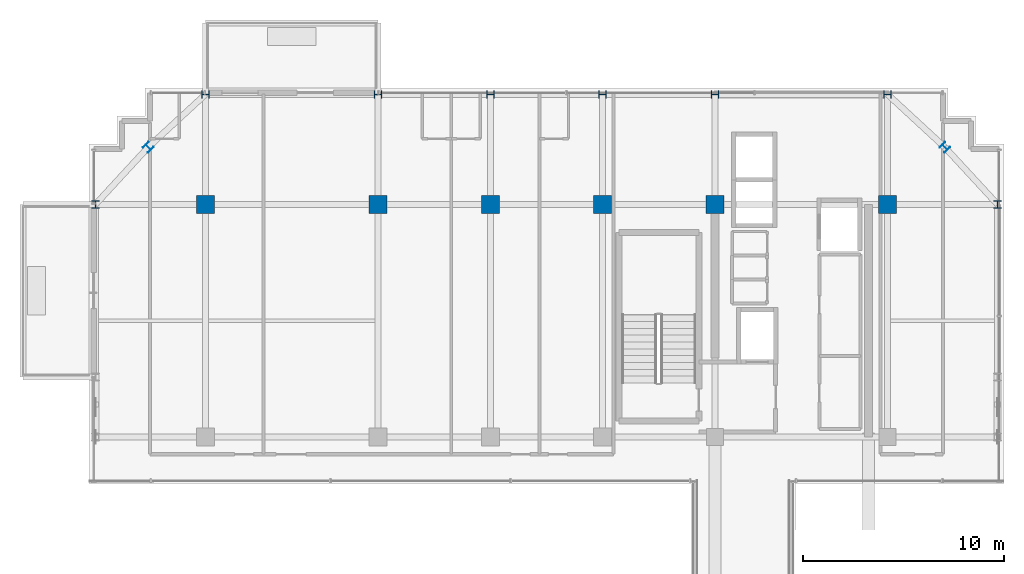
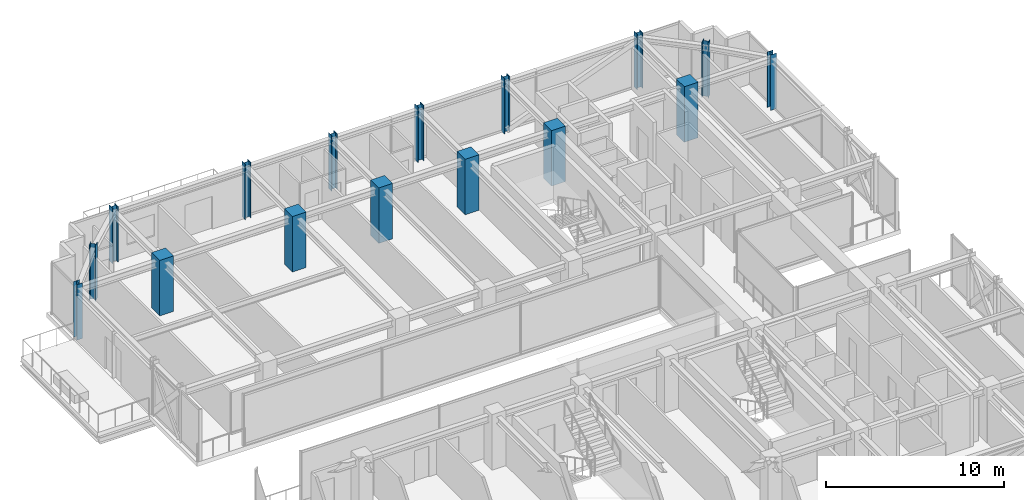
# One storey, part 3 of 41: 16 columns.
"""IFC4 building model written with IfcOpenShell, lengths in metres."""

from ifc_helpers import new_model, si_unit, direction, frame, origin, origin_2d, place, context, subcontext, project, spatial, rectangle, i_section, extrude, source, transform, mapped, material, material_profile, profile_set, type_object, element, save


model = new_model("IFC4")

# Units and contexts
model_context = context("Model", 3, precision=1e-05, world=origin(), true_north=direction((0.0, 1.0)))
body_context = subcontext(model_context, "Body", "Model", "MODEL_VIEW")
ifc_project = project(units=[si_unit("LENGTHUNIT", "METRE"), si_unit("AREAUNIT", "SQUARE_METRE"), si_unit("VOLUMEUNIT", "CUBIC_METRE"), si_unit("PLANEANGLEUNIT", "RADIAN"), si_unit("MASSUNIT", "GRAM", prefix="KILO")], contexts=[model_context])

# Site, building, storey
site_placement = place(None, origin())
site = spatial("IfcSite", under=ifc_project, at=site_placement, CompositionType="ELEMENT")
building_placement = place(site_placement, origin())
building = spatial("IfcBuilding", under=site, at=building_placement, Name="Nahalor Promenade Grand Hotel", CompositionType="ELEMENT")
storey_placement = place(building_placement, frame((0.0, 0.0, 304.199951171875)))
storey = spatial("IfcBuildingStorey", under=building, at=storey_placement, Name="L78", CompositionType="ELEMENT", Elevation=304.199951171875)

# Columns
ifc_material_1 = material(Name="Concrete B-50 (C40/50)", Category="concrete")
ifc_material_profile_1 = material_profile(ifc_material_1, rectangle(XDim=0.9, YDim=0.9, at=origin_2d()), Name="RC 900x900")
ifc_profile_set_1 = profile_set([ifc_material_profile_1], Name="Concrete B-50 (C40/50)")
column_type_1 = type_object("IfcColumnType", Name="Col-RC-900", PredefinedType="COLUMN", material=ifc_profile_set_1)
shared_shape_1 = source(origin(), body_context, "Body", "SweptSolid", [
    extrude(rectangle(XDim=0.9, YDim=0.9, at=origin_2d()), origin(), (0.0, 0.0, 1.0), 3.804931640625),
])
for number, where, z_axis, x_axis, name in (
    (1, (-17.0, 17.0, 0.0), (0.0, 0.0, 1.0), (1.0, 0.0, 0.0), "COL-L78-I03"),
    (2, (-8.39990234375, 17.0, 0.0), (0.0, 0.0, 1.0), (1.0, 0.0, 0.0), "COL-L78-I13"),
    (3, (-2.800048828125, 17.0, 0.0), (0.0, 0.0, 1.0), (1.0, 0.0, 0.0), "COL-L78-I23"),
    (4, (2.800048828125, 17.0, 0.0), (0.0, 0.0, 1.0), (1.0, 0.0, 0.0), "COL-L78-I33"),
    (5, (8.39990234375, 17.0, 0.0), (0.0, 0.0, 1.0), (1.0, 0.0, 0.0), "COL-L78-I43"),
    (6, (17.0, 17.0, 0.0), (0.0, 0.0, 1.0), (1.0, 0.0, 0.0), "COL-L78-I53"),
):
    element("IfcColumn", number, at=place(storey_placement, frame(where, z_axis=z_axis, x_axis=x_axis)), inside=storey, type_object=column_type_1, Name=name, PredefinedType="COLUMN", context=body_context, shape_type="MappedRepresentation", body=[
        mapped(shared_shape_1, transform((0.0, 0.0, 0.0), scale=1.0)),
    ])
ifc_material_2 = material(Name="Steel S355JR", Category="steel")
ifc_material_profile_2 = material_profile(ifc_material_2, i_section(OverallWidth=0.374, OverallDepth=0.374, WebThickness=0.0144, FlangeThickness=0.0229, at=origin_2d()), Name="HD 360x262")
ifc_profile_set_2 = profile_set([ifc_material_profile_2], Name="Steel S355JR")
column_type_2 = type_object("IfcColumnType", Name="Col-Steel-HD262", PredefinedType="COLUMN", material=ifc_profile_set_2)
shared_shape_2 = source(origin(), body_context, "Body", "SweptSolid", [
    extrude(i_section(OverallWidth=0.374, OverallDepth=0.374, WebThickness=0.0144, FlangeThickness=0.0229, at=origin_2d()), origin(), (0.0, 0.0, 1.0), 3.804931640625),
])
for number, where, z_axis, x_axis, name in (
    (7, (-22.47998046875, 17.0, 0.0), (0.0, 0.0, 1.0), (1.0, 0.0, 0.0), "COL-L78-PW-W5"),
    (8, (22.47998046875, 17.0, 0.0), (0.0, 0.0, 1.0), (1.0, 0.0, 0.0), "COL-L78-PW-E5"),
    (9, (-17.0, 22.47998046875, 0.0), (0.0, 0.0, 1.0), (0.0, 1.0, 0.0), "COL-L78-PN-N0"),
    (10, (-8.39990234375, 22.47998046875, 0.0), (0.0, 0.0, 1.0), (0.0, 1.0, 0.0), "COL-L78-PN-N1"),
    (11, (-2.800048828125, 22.47998046875, 0.0), (0.0, 0.0, 1.0), (0.0, 1.0, 0.0), "COL-L78-PN-N2"),
    (12, (2.800048828125, 22.47998046875, 0.0), (0.0, 0.0, 1.0), (0.0, 1.0, 0.0), "COL-L78-PN-N3"),
    (13, (8.39990234375, 22.47998046875, 0.0), (0.0, 0.0, 1.0), (0.0, 1.0, 0.0), "COL-L78-PN-N4"),
    (14, (17.0, 22.47998046875, 0.0), (0.0, 0.0, 1.0), (0.0, 1.0, 0.0), "COL-L78-PN-N5"),
    (15, (-19.85009765625, 19.85009765625, 0.0), (0.0, 0.0, 1.0), (0.707106781187, 0.707106781187, 0.0), "COL-L78-CRN-NW"),
    (16, (19.85009765625, 19.85009765625, 0.0), (0.0, 0.0, 1.0), (0.707106781187, 0.707106781187, 0.0), "COL-L78-CRN-NE"),
):
    element("IfcColumn", number, at=place(storey_placement, frame(where, z_axis=z_axis, x_axis=x_axis)), inside=storey, type_object=column_type_2, Name=name, PredefinedType="COLUMN", context=body_context, shape_type="MappedRepresentation", body=[
        mapped(shared_shape_2, transform((0.0, 0.0, 0.0), scale=1.0)),
    ])

save(model, "model.ifc")
